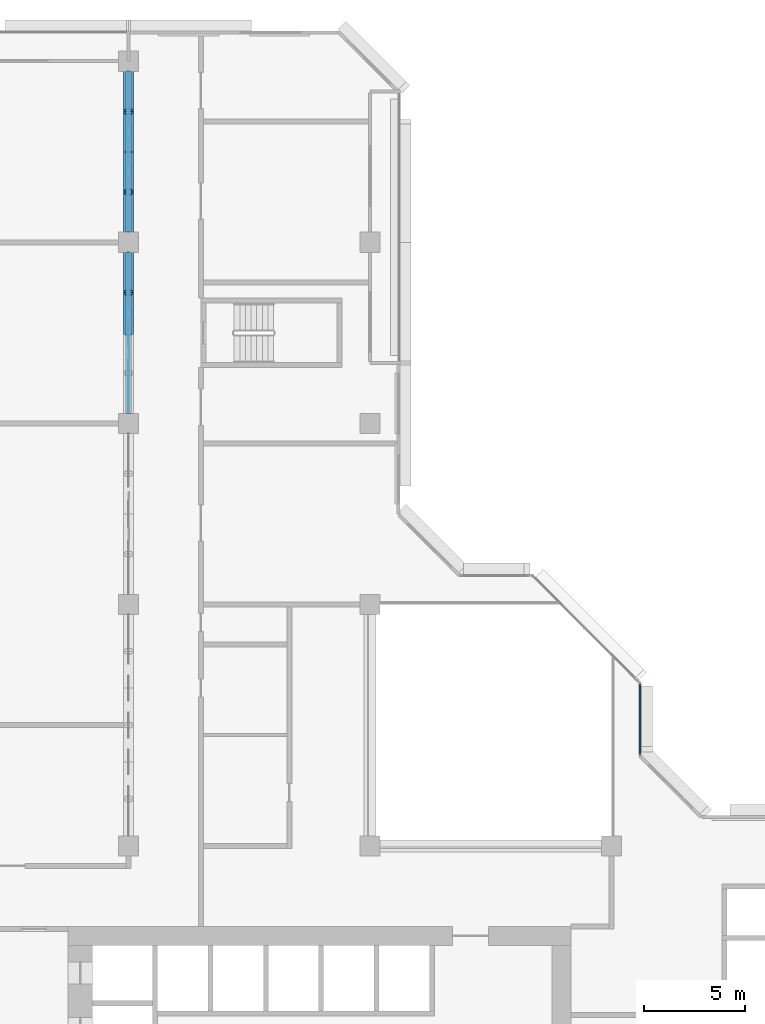
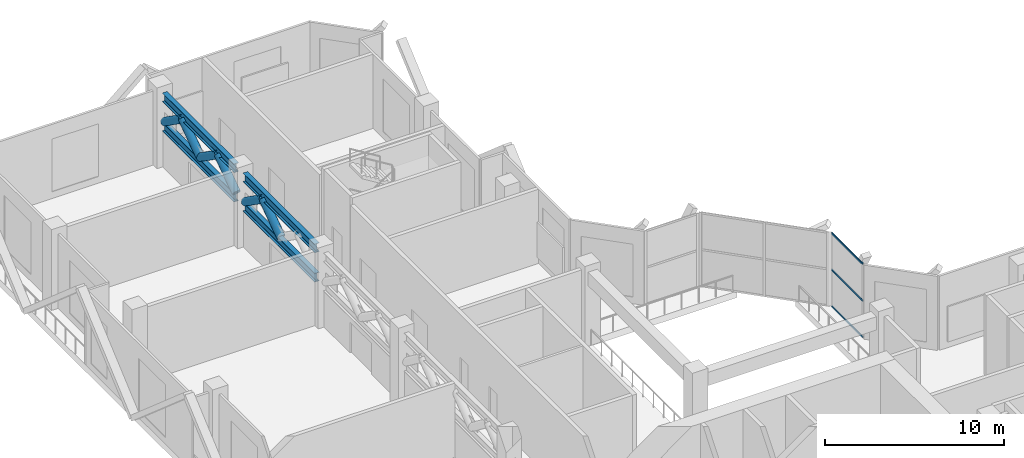
# One storey, part 3 of 15: 9 members, 4 beams, 1 element without a shape of its own.
"""IFC4 building model written with IfcOpenShell, lengths in metres."""

from ifc_helpers import new_model, si_unit, direction, frame, origin, origin_2d, place, context, subcontext, project, spatial, rectangle, hollow_circle, i_section, extrude, material, layer, layer_set, material_profile, profile_set, type_object, element, aggregate, save


model = new_model("IFC4")

# Units and contexts
model_context = context("Model", 3, precision=1e-05, world=origin(), true_north=direction((0.0, 1.0)))
body_context = subcontext(model_context, "Body", "Model", "MODEL_VIEW")
ifc_project = project(units=[si_unit("LENGTHUNIT", "METRE"), si_unit("AREAUNIT", "SQUARE_METRE"), si_unit("VOLUMEUNIT", "CUBIC_METRE"), si_unit("PLANEANGLEUNIT", "RADIAN"), si_unit("MASSUNIT", "GRAM", prefix="KILO")], contexts=[model_context])

# Site, building, storey
site_placement = place(None, origin())
site = spatial("IfcSite", under=ifc_project, at=site_placement, CompositionType="ELEMENT")
building_placement = place(site_placement, origin())
building = spatial("IfcBuilding", under=site, at=building_placement, Name="Chenar Terraces", CompositionType="ELEMENT")
storey_placement = place(building_placement, frame((0.0, 0.0, 140.64990234375)))
storey = spatial("IfcBuildingStorey", under=building, at=storey_placement, Name="L33", CompositionType="ELEMENT", Elevation=140.64990234375)

# Curtain wall, members
ifc_material_1 = material(Name="Aluminium framed glazing", Category="aluminium")
ifc_layer = layer(ifc_material_1, 0.14990234375)
ifc_layer_set = layer_set([ifc_layer], Name="Aluminium framed glazing")
curtain_wall_type = type_object("IfcCurtainWallType", Name="Atrium curtain wall", PredefinedType="NOTDEFINED", material=ifc_layer_set)
curtain_wall_placement = place(storey_placement, origin())
curtain_wall = element("IfcCurtainWall", 1, at=curtain_wall_placement, inside=storey, type_object=curtain_wall_type, Name="Atrium curtain wall", PredefinedType="NOTDEFINED")
ifc_material_2 = material(Name="Aluminium", Category="aluminium")
ifc_material_profile_1 = material_profile(ifc_material_2, rectangle(XDim=0.06005859375, YDim=0.1201171875, at=origin_2d()), Name="Atrium glazing transom 60 x 120")
ifc_profile_set_1 = profile_set([ifc_material_profile_1], Name="Aluminium")
member_type_1 = type_object("IfcMemberType", Name="Atrium glazing transom 60 x 120", PredefinedType="USERDEFINED", material=ifc_profile_set_1)
member_1_placement = place(storey_placement, frame((37.425048828125, 28.56005859375, 0.030029296875), z_axis=(0.0, 1.0, 0.0), x_axis=(-1.0, 0.0, 0.0)))
member_1 = element("IfcMember", 2, at=member_1_placement, type_object=member_type_1, Name="CW1-1 transom 1.1", ObjectType="TRANSOM", PredefinedType="USERDEFINED", context=body_context, shape_type="SweptSolid", body=[
    extrude(rectangle(XDim=0.06005859375, YDim=0.1201171875, at=origin_2d()), origin(), (0.0, 0.0, 1.0), 3.47998046875),
])
member_2_placement = place(storey_placement, frame((37.425048828125, 28.56005859375, 2.525146484375), z_axis=(0.0, 1.0, 0.0), x_axis=(-1.0, 0.0, 0.0)))
member_2 = element("IfcMember", 3, at=member_2_placement, type_object=member_type_1, Name="CW1-1 transom 1.2", ObjectType="TRANSOM", PredefinedType="USERDEFINED", context=body_context, shape_type="SweptSolid", body=[
    extrude(rectangle(XDim=0.06005859375, YDim=0.1201171875, at=origin_2d()), origin(), (0.0, 0.0, 1.0), 3.47998046875),
])
member_3_placement = place(storey_placement, frame((37.425048828125, 28.56005859375, 5.02001953125), z_axis=(0.0, 1.0, 0.0), x_axis=(-1.0, 0.0, 0.0)))
member_3 = element("IfcMember", 4, at=member_3_placement, type_object=member_type_1, Name="CW1-1 transom 1.3", ObjectType="TRANSOM", PredefinedType="USERDEFINED", context=body_context, shape_type="SweptSolid", body=[
    extrude(rectangle(XDim=0.06005859375, YDim=0.1201171875, at=origin_2d()), origin(), (0.0, 0.0, 1.0), 3.47998046875),
])
aggregate(curtain_wall, [member_1, member_2, member_3])

# Beams
ifc_material_3 = material(Name="Structural steel S355", Category="steel")
ifc_material_profile_2 = material_profile(ifc_material_3, i_section(OverallWidth=0.300048828125, OverallDepth=0.60009765625, WebThickness=0.015380859375, FlangeThickness=0.030029296875, FilletRadius=0.027099609375, at=origin_2d()), Name="HEB 600")
ifc_profile_set_2 = profile_set([ifc_material_profile_2], Name="Structural steel S355")
beam_type = type_object("IfcBeamType", Name="Belt truss chord HEB 600 S355", PredefinedType="BEAM", material=ifc_profile_set_2)
for number, where, z_axis, x_axis, name in (
    (5, (12.0, 45.5, 4.75), (0.0, 1.0, 0.0), (-1.0, 0.0, 0.0), "Belt truss L33 B3 top chord"),
    (6, (12.0, 45.5, 2.75), (0.0, 1.0, 0.0), (-1.0, 0.0, 0.0), "Belt truss L33 B3 bottom chord"),
    (7, (12.0, 54.5, 4.75), (0.0, 1.0, 0.0), (-1.0, 0.0, 0.0), "Belt truss L33 B4 top chord"),
    (8, (12.0, 54.5, 2.75), (0.0, 1.0, 0.0), (-1.0, 0.0, 0.0), "Belt truss L33 B4 bottom chord"),
):
    element("IfcBeam", number, at=place(storey_placement, frame(where, z_axis=z_axis, x_axis=x_axis)), inside=storey, type_object=beam_type, Name=name, PredefinedType="BEAM", context=body_context, shape_type="SweptSolid", body=[
        extrude(i_section(OverallWidth=0.300048828125, OverallDepth=0.60009765625, WebThickness=0.015380859375, FlangeThickness=0.030029296875, FilletRadius=0.027099609375, at=origin_2d()), origin(), (0.0, 0.0, 1.0), 8.0),
    ])

# Members
ifc_material_4 = material(Name="Structural steel S355", Category="steel")
ifc_material_profile_3 = material_profile(ifc_material_4, hollow_circle(Radius=0.25390625, WallThickness=0.02001953125, at=origin_2d()), Name="CHS 508x20")
ifc_profile_set_3 = profile_set([ifc_material_profile_3], Name="Structural steel S355")
member_type_2 = type_object("IfcMemberType", Name="Belt truss diagonal CHS 508x20 S355", PredefinedType="BRACE", material=ifc_profile_set_3)
for number, where, z_axis, x_axis, name in (
    (9, (12.0, 49.5, 3.050048828125), (0.0, 0.819203731481, 0.57350261231), (-1.0, 0.0, 0.0), "Belt truss L33 B3 diagonal 3"),
    (10, (12.0, 51.5, 4.4501953125), (0.0, 0.819203731481, -0.57350261231), (-1.0, 0.0, 0.0), "Belt truss L33 B3 diagonal 4"),
    (11, (12.0, 54.5, 3.050048828125), (0.0, 0.819203731481, 0.57350261231), (-1.0, 0.0, 0.0), "Belt truss L33 B4 diagonal 1"),
    (12, (12.0, 56.5, 4.4501953125), (0.0, 0.819203731481, -0.57350261231), (-1.0, 0.0, 0.0), "Belt truss L33 B4 diagonal 2"),
    (13, (12.0, 58.5, 3.050048828125), (0.0, 0.819203731481, 0.57350261231), (-1.0, 0.0, 0.0), "Belt truss L33 B4 diagonal 3"),
    (14, (12.0, 60.5, 4.4501953125), (0.0, 0.819203731481, -0.57350261231), (-1.0, 0.0, 0.0), "Belt truss L33 B4 diagonal 4"),
):
    element("IfcMember", number, at=place(storey_placement, frame(where, z_axis=z_axis, x_axis=x_axis)), inside=storey, type_object=member_type_2, Name=name, PredefinedType="BRACE", context=body_context, shape_type="SweptSolid", body=[
        extrude(hollow_circle(Radius=0.25390625, WallThickness=0.02001953125, at=origin_2d()), origin(), (0.0, 0.0, 1.0), 2.44140625),
    ])

save(model, "model.ifc")
